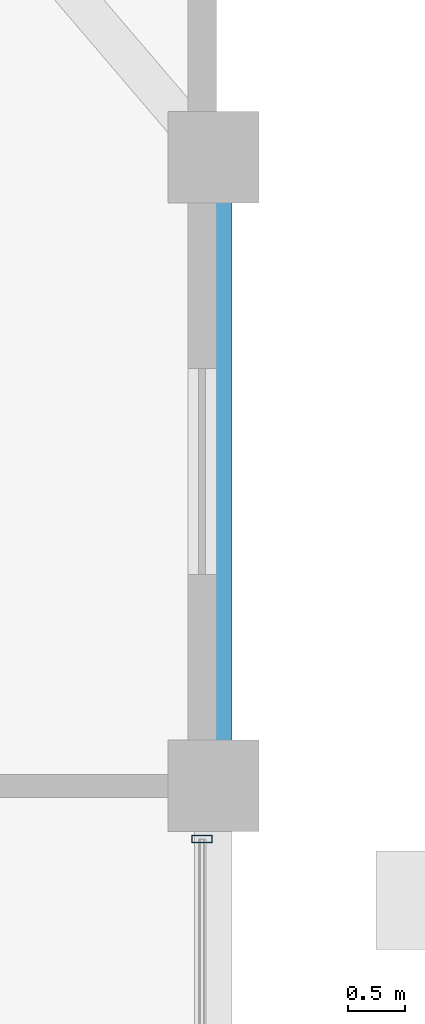
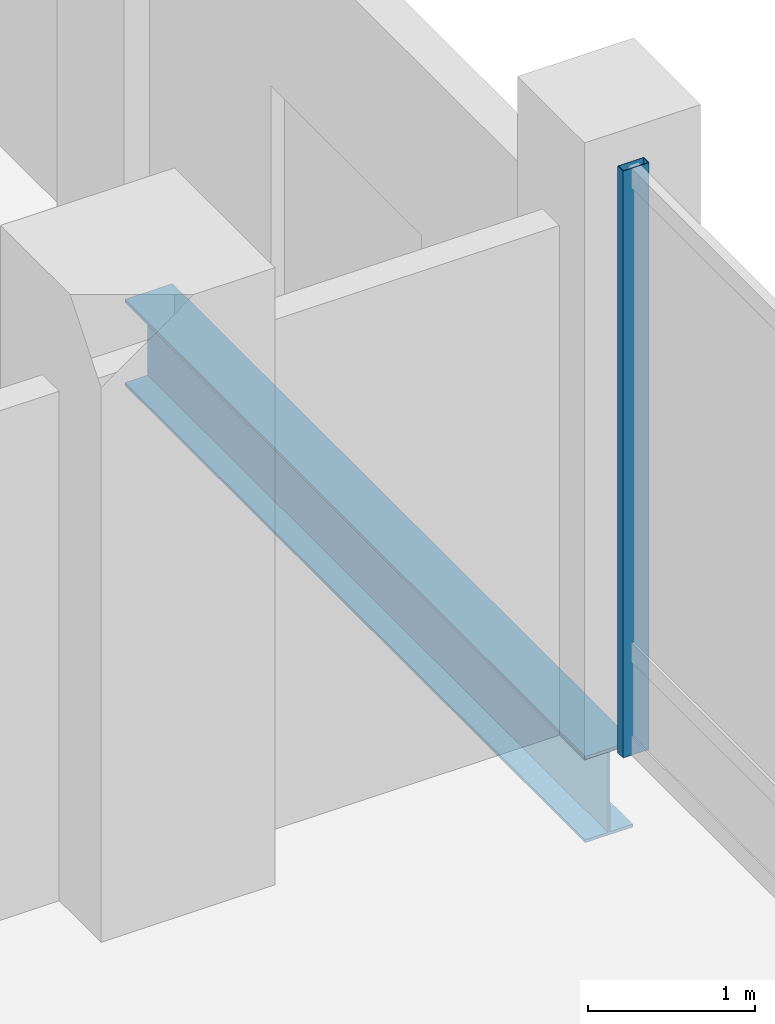
# One storey, part 12 of 19: 1 beam, 1 member, 1 element without a shape of its own.
"""IFC4 building model written with IfcOpenShell, lengths in metres."""

import ifcopenshell
import ifcopenshell.guid

model = None  # the IFC model being written
_history = None  # IfcOwnerHistory: only IFC2X3 demands one
_inside = {}  # id of a spatial element -> (the spatial element, [elements in it])
_under = {}  # id of a project, library or spatial element -> (it, [spatial elements below it])
_declared = {}  # id of a project -> (the project, [libraries it declares])
_typed = {}  # id of a type object -> (the type object, [elements of that type])
_made_of = {}  # id of a material, layer set ... -> (it, [elements and type objects made of it])


def new_model(schema):
    """Start an empty IFC model of exactly this schema.

    Asked for "IFC4X3", IfcOpenShell would pick the latest addendum, in which some entities
    have other attributes; the version numbers below select the first issue.
    IFC2X3 requires an IfcOwnerHistory on every rooted entity: one is made here for all.
    """
    global model, _history
    if schema == "IFC4X3":
        model = ifcopenshell.file(schema_version=(4, 3, 0, 0))
    else:
        model = ifcopenshell.file(schema=schema)
    _inside.clear()
    _under.clear()
    _declared.clear()
    _typed.clear()
    _made_of.clear()
    _history = None
    if model.schema == "IFC2X3":
        org = make("IfcOrganization", Name="unknown")
        user = make(
            "IfcPersonAndOrganization",
            ThePerson=make("IfcPerson", FamilyName="unknown"),
            TheOrganization=org,
        )
        app = make(
            "IfcApplication",
            ApplicationDeveloper=org,
            Version="unknown",
            ApplicationFullName="unknown",
            ApplicationIdentifier="unknown",
        )
        _history = make(
            "IfcOwnerHistory",
            OwningUser=user,
            OwningApplication=app,
            ChangeAction="ADDED",
            CreationDate=0,
        )
    return model


def make(cls, **values):
    """One entity of the class cls with the attributes given. An attribute that is None is left unset."""
    return model.create_entity(
        cls, **{name: value for name, value in values.items() if value is not None}
    )


def rooted(cls, **values):
    """An entity with a GlobalId (a new one), such as an element, a storey or a relation."""
    return make(cls, GlobalId=ifcopenshell.guid.new(), OwnerHistory=_history, **values)


def si_unit(unit_type, name, prefix=None):
    """IfcSIUnit, for example si_unit("LENGTHUNIT", "METRE", prefix="MILLI")."""
    return make("IfcSIUnit", UnitType=unit_type, Prefix=prefix, Name=name)


def assignment(units):
    """IfcUnitAssignment: the units of a project."""
    return None if units is None else make("IfcUnitAssignment", Units=units)


def point(xyz):
    """IfcCartesianPoint."""
    return None if xyz is None else make("IfcCartesianPoint", Coordinates=xyz)


def direction(xyz):
    """IfcDirection."""
    return None if xyz is None else make("IfcDirection", DirectionRatios=xyz)


def frame(location, z_axis=None, x_axis=None):
    """IfcAxis2Placement3D, a coordinate frame: its origin and axes. An axis left out is left unset."""
    return make(
        "IfcAxis2Placement3D",
        Location=point(location),
        Axis=direction(z_axis),
        RefDirection=direction(x_axis),
    )


def frame_2d(location, x_axis=None):
    """IfcAxis2Placement2D, a coordinate frame in the plane: its origin and x axis."""
    return make(
        "IfcAxis2Placement2D", Location=point(location), RefDirection=direction(x_axis)
    )


def origin():
    """The frame at (0, 0, 0) with its axes left unset."""
    return frame((0.0, 0.0, 0.0))


def origin_2d():
    """The frame at (0, 0) in the plane with its x axis left unset."""
    return frame_2d((0.0, 0.0))


def place(relative_to, where):
    """IfcLocalPlacement: puts the frame where relative to a parent placement (None: the world)."""
    return make(
        "IfcLocalPlacement", PlacementRelTo=relative_to, RelativePlacement=where
    )


def context(
    kind, dimensions, precision=None, world=None, true_north=None, identifier=None
):
    """IfcGeometricRepresentationContext, for example the 3D "Model" context."""
    return make(
        "IfcGeometricRepresentationContext",
        ContextIdentifier=identifier,
        ContextType=kind,
        CoordinateSpaceDimension=dimensions,
        Precision=precision,
        WorldCoordinateSystem=world,
        TrueNorth=true_north,
    )


def subcontext(parent, identifier, kind, view, scale=None):
    """IfcGeometricRepresentationSubContext, for example "Body" below "Model"."""
    return make(
        "IfcGeometricRepresentationSubContext",
        ContextIdentifier=identifier,
        ContextType=kind,
        ParentContext=parent,
        TargetScale=scale,
        TargetView=view,
    )


def project(units=None, contexts=None):
    """IfcProject with its units and contexts."""
    return rooted(
        "IfcProject",
        Name="project",
        RepresentationContexts=contexts,
        UnitsInContext=assignment(units),
    )


def spatial(cls, under=None, at=None, **own):
    """A site, building, storey or space (cls), placed at a placement, below another one or the project."""
    s = rooted(cls, ObjectPlacement=at, **own)
    if under is not None:
        _under.setdefault(under.id(), (under, []))[1].append(s)
    return s


def profile(cls, at=None, kind="AREA", **sizes):
    """A parametric profile (cls). Its sizes go by their IFC names, for example OverallWidth=200.0."""
    return make(cls, ProfileType=kind, Position=at, **sizes)


def hollow_rectangle(**sizes):
    """IfcRectangleHollowProfileDef."""
    return profile("IfcRectangleHollowProfileDef", **sizes)


def i_section(**sizes):
    """IfcIShapeProfileDef."""
    return profile("IfcIShapeProfileDef", **sizes)


def extrude(swept, where, along, depth):
    """IfcExtrudedAreaSolid: the profile swept, set in the frame where, extruded along a direction by depth."""
    return make(
        "IfcExtrudedAreaSolid",
        SweptArea=swept,
        Position=where,
        ExtrudedDirection=direction(along),
        Depth=depth,
    )


def shape(context_of_items, identifier, shape_type, items):
    """IfcShapeRepresentation: the items that make up one representation, for example the "Body"."""
    return make(
        "IfcShapeRepresentation",
        ContextOfItems=context_of_items,
        RepresentationIdentifier=identifier,
        RepresentationType=shape_type,
        Items=items,
    )


def material(Name=None, Category=None):
    """IfcMaterial."""
    return make("IfcMaterial", Name=Name, Category=Category)


def layer(
    of_material, thickness, ventilated=None, Name=None, Category=None, Priority=None
):
    """IfcMaterialLayer: one layer of a wall or slab, of a material (None: an air gap)."""
    return make(
        "IfcMaterialLayer",
        Material=of_material,
        LayerThickness=thickness,
        IsVentilated=ventilated,
        Name=Name,
        Category=Category,
        Priority=Priority,
    )


def layer_set(layers, Name=None):
    """IfcMaterialLayerSet."""
    return make("IfcMaterialLayerSet", MaterialLayers=layers, LayerSetName=Name)


def material_profile(
    of_material, cross_section, Name=None, Category=None, Priority=None
):
    """IfcMaterialProfile: a cross section and its material."""
    return make(
        "IfcMaterialProfile",
        Name=Name,
        Material=of_material,
        Profile=cross_section,
        Priority=Priority,
        Category=Category,
    )


def profile_set(profiles, Name=None, composite=None):
    """IfcMaterialProfileSet."""
    return make(
        "IfcMaterialProfileSet",
        Name=Name,
        MaterialProfiles=profiles,
        CompositeProfile=composite,
    )


def made_of(thing, what):
    """Note that an element or type object is made of a material, layer set ...; save() writes the relation."""
    if what is not None:
        _made_of.setdefault(what.id(), (what, []))[1].append(thing)
    return thing


def type_object(cls, material=None, **own):
    """A type object (cls), such as IfcWallType, which elements share."""
    return made_of(rooted(cls, **own), material)


def element(
    cls,
    number,
    at=None,
    inside=None,
    cuts=None,
    type_object=None,
    material=None,
    context=None,
    identifier="Body",
    shape_type=None,
    held_by="IfcProductDefinitionShape",
    body=None,
    shapes=None,
    **own,
):
    """One element of the class cls, such as IfcWall. Its Tag is "e" and its number.

    at: its placement. inside: the storey or other place that contains it. cuts: it is an
    opening in that element (IfcRelVoidsElement). A single representation is given by context,
    identifier, shape_type and body (its items); several are given by shapes. held_by: the class
    of the entity that holds the representations. save() writes the other relations.
    """
    e = rooted(cls, Tag="e%d" % number, ObjectPlacement=at, **own)
    if body is not None:
        shapes = [shape(context, identifier, shape_type, body)]
    if shapes is not None:
        e.Representation = make(held_by, Representations=shapes)
    if inside is not None:
        _inside.setdefault(inside.id(), (inside, []))[1].append(e)
    if cuts is not None:
        rooted(
            "IfcRelVoidsElement", RelatingBuildingElement=cuts, RelatedOpeningElement=e
        )
    if type_object is not None:
        _typed.setdefault(type_object.id(), (type_object, []))[1].append(e)
    return made_of(e, material)


def aggregate(whole, parts):
    """IfcRelAggregates: a whole, such as a stair, and the parts it consists of."""
    return rooted("IfcRelAggregates", RelatingObject=whole, RelatedObjects=parts)


def save(model, path):
    """Write the relations noted so far, then the file.

    IfcRelAggregates (storeys below a building ...), IfcRelContainedInSpatialStructure (elements
    in a storey), IfcRelDefinesByType, IfcRelAssociatesMaterial and IfcRelDeclares: one each for
    every whole, place, type object, material and project.
    """
    for whole, parts in _under.values():
        aggregate(whole, parts)
    for where, things in _inside.values():
        rooted(
            "IfcRelContainedInSpatialStructure",
            RelatedElements=things,
            RelatingStructure=where,
        )
    for kind, things in _typed.values():
        rooted("IfcRelDefinesByType", RelatedObjects=things, RelatingType=kind)
    for what, things in _made_of.values():
        rooted("IfcRelAssociatesMaterial", RelatedObjects=things, RelatingMaterial=what)
    for by, libraries in _declared.values():
        rooted("IfcRelDeclares", RelatingContext=by, RelatedDefinitions=libraries)
    model.write(path)


model = new_model("IFC4")

# Units and contexts
model_context = context("Model", 3, precision=1e-05, world=origin(), true_north=direction((0.0, 1.0)))
body_context = subcontext(model_context, "Body", "Model", "MODEL_VIEW")
ifc_project = project(units=[si_unit("LENGTHUNIT", "METRE"), si_unit("AREAUNIT", "SQUARE_METRE"), si_unit("VOLUMEUNIT", "CUBIC_METRE"), si_unit("PLANEANGLEUNIT", "RADIAN"), si_unit("MASSUNIT", "GRAM", prefix="KILO")], contexts=[model_context])

# Site, building, storey
site_placement = place(None, origin())
site = spatial("IfcSite", under=ifc_project, at=site_placement, CompositionType="ELEMENT")
building_placement = place(site_placement, origin())
building = spatial("IfcBuilding", under=site, at=building_placement, Name="Barlavira Tower and Art Museum", CompositionType="ELEMENT")
storey_placement = place(building_placement, frame((0.0, 0.0, 125.10009765625)))
storey = spatial("IfcBuildingStorey", under=building, at=storey_placement, Name="L31", CompositionType="ELEMENT", Elevation=125.10009765625)

# Curtain wall, member
ifc_material_1 = material(Name="Low-iron coastal laminated glass", Category="glass")
ifc_layer = layer(ifc_material_1, 0.18994140625, Name="Low-iron coastal laminated glass")
ifc_layer_set = layer_set([ifc_layer], Name="Low-iron coastal laminated glass")
curtain_wall_type = type_object("IfcCurtainWallType", Name="Pale-Metal Unitised Curtain Wall Zone 2", PredefinedType="NOTDEFINED", material=ifc_layer_set)
curtain_wall_placement = place(storey_placement, origin())
curtain_wall = element("IfcCurtainWall", 1, at=curtain_wall_placement, inside=storey, type_object=curtain_wall_type, Name="L31 Curtain Wall CW2-L31-E-B3", PredefinedType="NOTDEFINED")
ifc_material_2 = material(Name="Pale anodised aluminium", Category="aluminium")
ifc_material_profile_1 = material_profile(ifc_material_2, hollow_rectangle(XDim=0.06494140625, YDim=0.179931640625, WallThickness=0.00390625, at=origin_2d()), Name="ALU-MULL 65x180x4")
ifc_profile_set_1 = profile_set([ifc_material_profile_1], Name="Pale anodised aluminium")
member_type = type_object("IfcMemberType", Name="Curtain Wall Pale-Metal Mullion 65x180", PredefinedType="MULLION", material=ifc_profile_set_1)
member_placement = place(storey_placement, frame((20.14990234375, 7.034912109375, 0.0), z_axis=(0.0, 0.0, 1.0), x_axis=(0.0, 1.0, 0.0)))
member = element("IfcMember", 2, at=member_placement, type_object=member_type, Name="CW2-L31-E-B3 Mullion 3", PredefinedType="MULLION", context=body_context, shape_type="SweptSolid", body=[
    extrude(hollow_rectangle(XDim=0.06494140625, YDim=0.179931640625, WallThickness=0.00390625, at=origin_2d()), origin(), (0.0, 0.0, 1.0), 4.27978515625),
])
aggregate(curtain_wall, [member])

# Beam
ifc_material_3 = material(Name="Steel S355", Category="steel")
ifc_material_profile_2 = material_profile(ifc_material_3, i_section(OverallWidth=0.327880859375, OverallDepth=0.62890625, WebThickness=0.013916015625, FlangeThickness=0.021484375, at=origin_2d()), Name="W610x174.0")
ifc_profile_set_2 = profile_set([ifc_material_profile_2], Name="Steel S355")
beam_type = type_object("IfcBeamType", Name="Perimeter Spandrel Edge Beam W610x174 Steel S355", PredefinedType="SPANDREL", material=ifc_profile_set_2)
beam_placement = place(storey_placement, frame((20.25, 7.5, -0.614501953125), z_axis=(0.0, 1.0, 0.0), x_axis=(-1.0, 0.0, 0.0)))
element("IfcBeam", 3, at=beam_placement, inside=storey, type_object=beam_type, Name="L31 Spandrel 7", PredefinedType="SPANDREL", context=body_context, shape_type="SweptSolid", body=[
    extrude(i_section(OverallWidth=0.327880859375, OverallDepth=0.62890625, WebThickness=0.013916015625, FlangeThickness=0.021484375, at=origin_2d()), origin(), (0.0, 0.0, 1.0), 5.5),
])

save(model, "model.ifc")
